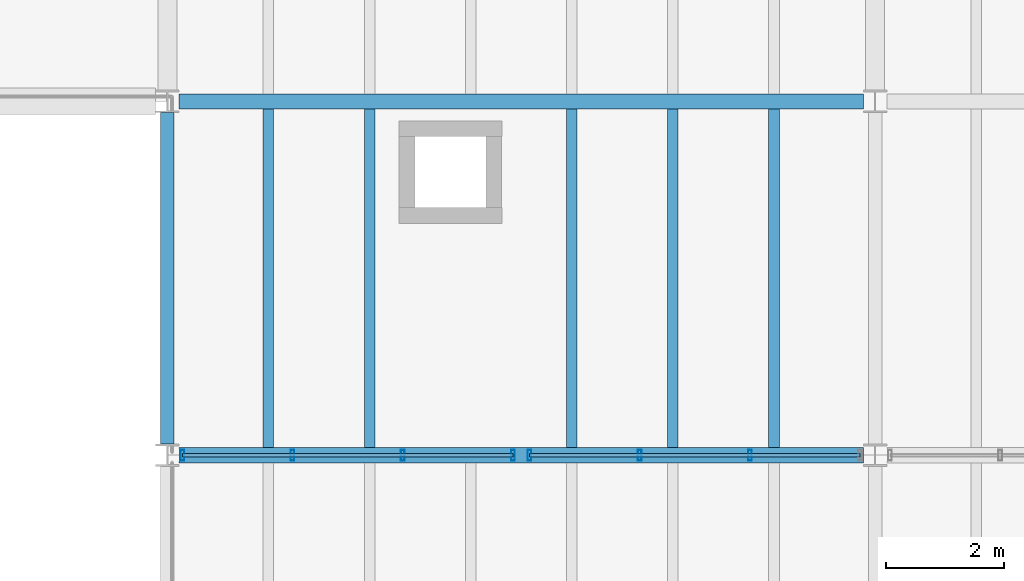
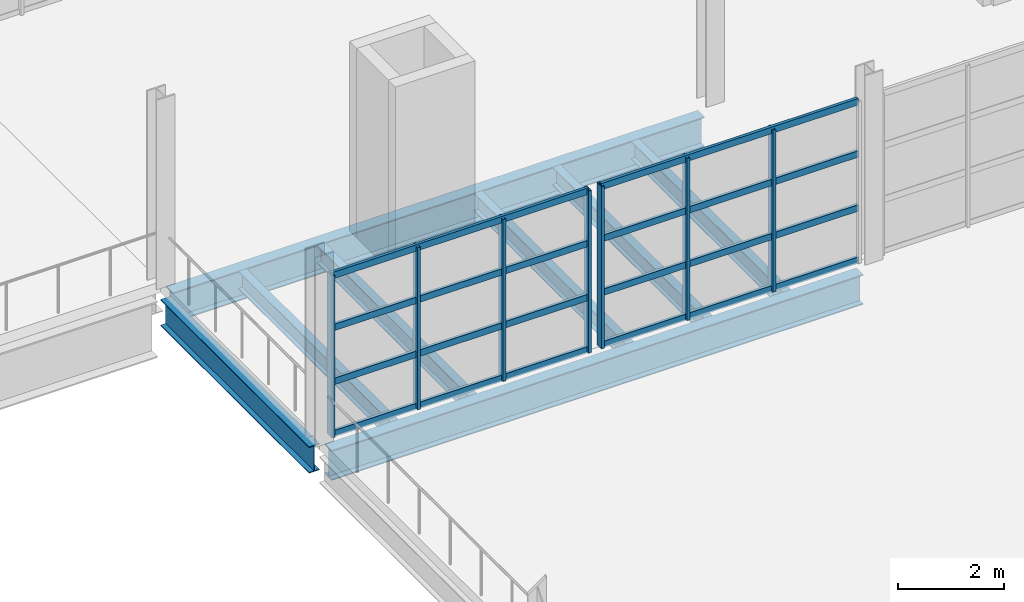
# One storey, part 20 of 78: 15 members, 8 beams, 2 elements without a shape of their own.
"""IFC4 building model written with IfcOpenShell, lengths in metres."""

import ifcopenshell
import ifcopenshell.guid

model = None  # the IFC model being written
_history = None  # IfcOwnerHistory: only IFC2X3 demands one
_inside = {}  # id of a spatial element -> (the spatial element, [elements in it])
_under = {}  # id of a project, library or spatial element -> (it, [spatial elements below it])
_declared = {}  # id of a project -> (the project, [libraries it declares])
_typed = {}  # id of a type object -> (the type object, [elements of that type])
_made_of = {}  # id of a material, layer set ... -> (it, [elements and type objects made of it])


def new_model(schema):
    """Start an empty IFC model of exactly this schema.

    Asked for "IFC4X3", IfcOpenShell would pick the latest addendum, in which some entities
    have other attributes; the version numbers below select the first issue.
    IFC2X3 requires an IfcOwnerHistory on every rooted entity: one is made here for all.
    """
    global model, _history
    if schema == "IFC4X3":
        model = ifcopenshell.file(schema_version=(4, 3, 0, 0))
    else:
        model = ifcopenshell.file(schema=schema)
    _inside.clear()
    _under.clear()
    _declared.clear()
    _typed.clear()
    _made_of.clear()
    _history = None
    if model.schema == "IFC2X3":
        org = make("IfcOrganization", Name="unknown")
        user = make(
            "IfcPersonAndOrganization",
            ThePerson=make("IfcPerson", FamilyName="unknown"),
            TheOrganization=org,
        )
        app = make(
            "IfcApplication",
            ApplicationDeveloper=org,
            Version="unknown",
            ApplicationFullName="unknown",
            ApplicationIdentifier="unknown",
        )
        _history = make(
            "IfcOwnerHistory",
            OwningUser=user,
            OwningApplication=app,
            ChangeAction="ADDED",
            CreationDate=0,
        )
    return model


def make(cls, **values):
    """One entity of the class cls with the attributes given. An attribute that is None is left unset."""
    return model.create_entity(
        cls, **{name: value for name, value in values.items() if value is not None}
    )


def rooted(cls, **values):
    """An entity with a GlobalId (a new one), such as an element, a storey or a relation."""
    return make(cls, GlobalId=ifcopenshell.guid.new(), OwnerHistory=_history, **values)


def si_unit(unit_type, name, prefix=None):
    """IfcSIUnit, for example si_unit("LENGTHUNIT", "METRE", prefix="MILLI")."""
    return make("IfcSIUnit", UnitType=unit_type, Prefix=prefix, Name=name)


def assignment(units):
    """IfcUnitAssignment: the units of a project."""
    return None if units is None else make("IfcUnitAssignment", Units=units)


def point(xyz):
    """IfcCartesianPoint."""
    return None if xyz is None else make("IfcCartesianPoint", Coordinates=xyz)


def direction(xyz):
    """IfcDirection."""
    return None if xyz is None else make("IfcDirection", DirectionRatios=xyz)


def frame(location, z_axis=None, x_axis=None):
    """IfcAxis2Placement3D, a coordinate frame: its origin and axes. An axis left out is left unset."""
    return make(
        "IfcAxis2Placement3D",
        Location=point(location),
        Axis=direction(z_axis),
        RefDirection=direction(x_axis),
    )


def frame_2d(location, x_axis=None):
    """IfcAxis2Placement2D, a coordinate frame in the plane: its origin and x axis."""
    return make(
        "IfcAxis2Placement2D", Location=point(location), RefDirection=direction(x_axis)
    )


def origin():
    """The frame at (0, 0, 0) with its axes left unset."""
    return frame((0.0, 0.0, 0.0))


def origin_2d():
    """The frame at (0, 0) in the plane with its x axis left unset."""
    return frame_2d((0.0, 0.0))


def place(relative_to, where):
    """IfcLocalPlacement: puts the frame where relative to a parent placement (None: the world)."""
    return make(
        "IfcLocalPlacement", PlacementRelTo=relative_to, RelativePlacement=where
    )


def context(
    kind, dimensions, precision=None, world=None, true_north=None, identifier=None
):
    """IfcGeometricRepresentationContext, for example the 3D "Model" context."""
    return make(
        "IfcGeometricRepresentationContext",
        ContextIdentifier=identifier,
        ContextType=kind,
        CoordinateSpaceDimension=dimensions,
        Precision=precision,
        WorldCoordinateSystem=world,
        TrueNorth=true_north,
    )


def subcontext(parent, identifier, kind, view, scale=None):
    """IfcGeometricRepresentationSubContext, for example "Body" below "Model"."""
    return make(
        "IfcGeometricRepresentationSubContext",
        ContextIdentifier=identifier,
        ContextType=kind,
        ParentContext=parent,
        TargetScale=scale,
        TargetView=view,
    )


def project(units=None, contexts=None):
    """IfcProject with its units and contexts."""
    return rooted(
        "IfcProject",
        Name="project",
        RepresentationContexts=contexts,
        UnitsInContext=assignment(units),
    )


def spatial(cls, under=None, at=None, **own):
    """A site, building, storey or space (cls), placed at a placement, below another one or the project."""
    s = rooted(cls, ObjectPlacement=at, **own)
    if under is not None:
        _under.setdefault(under.id(), (under, []))[1].append(s)
    return s


def profile(cls, at=None, kind="AREA", **sizes):
    """A parametric profile (cls). Its sizes go by their IFC names, for example OverallWidth=200.0."""
    return make(cls, ProfileType=kind, Position=at, **sizes)


def hollow_rectangle(**sizes):
    """IfcRectangleHollowProfileDef."""
    return profile("IfcRectangleHollowProfileDef", **sizes)


def i_section(**sizes):
    """IfcIShapeProfileDef."""
    return profile("IfcIShapeProfileDef", **sizes)


def extrude(swept, where, along, depth):
    """IfcExtrudedAreaSolid: the profile swept, set in the frame where, extruded along a direction by depth."""
    return make(
        "IfcExtrudedAreaSolid",
        SweptArea=swept,
        Position=where,
        ExtrudedDirection=direction(along),
        Depth=depth,
    )


def shape(context_of_items, identifier, shape_type, items):
    """IfcShapeRepresentation: the items that make up one representation, for example the "Body"."""
    return make(
        "IfcShapeRepresentation",
        ContextOfItems=context_of_items,
        RepresentationIdentifier=identifier,
        RepresentationType=shape_type,
        Items=items,
    )


def material(Name=None, Category=None):
    """IfcMaterial."""
    return make("IfcMaterial", Name=Name, Category=Category)


def material_profile(
    of_material, cross_section, Name=None, Category=None, Priority=None
):
    """IfcMaterialProfile: a cross section and its material."""
    return make(
        "IfcMaterialProfile",
        Name=Name,
        Material=of_material,
        Profile=cross_section,
        Priority=Priority,
        Category=Category,
    )


def profile_set(profiles, Name=None, composite=None):
    """IfcMaterialProfileSet."""
    return make(
        "IfcMaterialProfileSet",
        Name=Name,
        MaterialProfiles=profiles,
        CompositeProfile=composite,
    )


def made_of(thing, what):
    """Note that an element or type object is made of a material, layer set ...; save() writes the relation."""
    if what is not None:
        _made_of.setdefault(what.id(), (what, []))[1].append(thing)
    return thing


def type_object(cls, material=None, **own):
    """A type object (cls), such as IfcWallType, which elements share."""
    return made_of(rooted(cls, **own), material)


def element(
    cls,
    number,
    at=None,
    inside=None,
    cuts=None,
    type_object=None,
    material=None,
    context=None,
    identifier="Body",
    shape_type=None,
    held_by="IfcProductDefinitionShape",
    body=None,
    shapes=None,
    **own,
):
    """One element of the class cls, such as IfcWall. Its Tag is "e" and its number.

    at: its placement. inside: the storey or other place that contains it. cuts: it is an
    opening in that element (IfcRelVoidsElement). A single representation is given by context,
    identifier, shape_type and body (its items); several are given by shapes. held_by: the class
    of the entity that holds the representations. save() writes the other relations.
    """
    e = rooted(cls, Tag="e%d" % number, ObjectPlacement=at, **own)
    if body is not None:
        shapes = [shape(context, identifier, shape_type, body)]
    if shapes is not None:
        e.Representation = make(held_by, Representations=shapes)
    if inside is not None:
        _inside.setdefault(inside.id(), (inside, []))[1].append(e)
    if cuts is not None:
        rooted(
            "IfcRelVoidsElement", RelatingBuildingElement=cuts, RelatedOpeningElement=e
        )
    if type_object is not None:
        _typed.setdefault(type_object.id(), (type_object, []))[1].append(e)
    return made_of(e, material)


def aggregate(whole, parts):
    """IfcRelAggregates: a whole, such as a stair, and the parts it consists of."""
    return rooted("IfcRelAggregates", RelatingObject=whole, RelatedObjects=parts)


def save(model, path):
    """Write the relations noted so far, then the file.

    IfcRelAggregates (storeys below a building ...), IfcRelContainedInSpatialStructure (elements
    in a storey), IfcRelDefinesByType, IfcRelAssociatesMaterial and IfcRelDeclares: one each for
    every whole, place, type object, material and project.
    """
    for whole, parts in _under.values():
        aggregate(whole, parts)
    for where, things in _inside.values():
        rooted(
            "IfcRelContainedInSpatialStructure",
            RelatedElements=things,
            RelatingStructure=where,
        )
    for kind, things in _typed.values():
        rooted("IfcRelDefinesByType", RelatedObjects=things, RelatingType=kind)
    for what, things in _made_of.values():
        rooted("IfcRelAssociatesMaterial", RelatedObjects=things, RelatingMaterial=what)
    for by, libraries in _declared.values():
        rooted("IfcRelDeclares", RelatingContext=by, RelatedDefinitions=libraries)
    model.write(path)


model = new_model("IFC4")

# Units and contexts
model_context = context("Model", 3, precision=1e-05, world=origin(), true_north=direction((0.0, 1.0)))
body_context = subcontext(model_context, "Body", "Model", "MODEL_VIEW")
ifc_project = project(units=[si_unit("LENGTHUNIT", "METRE"), si_unit("AREAUNIT", "SQUARE_METRE"), si_unit("VOLUMEUNIT", "CUBIC_METRE"), si_unit("PLANEANGLEUNIT", "RADIAN"), si_unit("MASSUNIT", "GRAM", prefix="KILO")], contexts=[model_context])

# Site, building, storey
site_placement = place(None, origin())
site = spatial("IfcSite", under=ifc_project, at=site_placement, CompositionType="ELEMENT")
building_placement = place(site_placement, origin())
building = spatial("IfcBuilding", under=site, at=building_placement, Name="Kelmvaro Bay Concert Hall", CompositionType="ELEMENT")
storey_placement = place(building_placement, frame((0.0, 0.0, 9.300048828125)))
storey = spatial("IfcBuildingStorey", under=building, at=storey_placement, Name="L02", CompositionType="ELEMENT", Elevation=9.300048828125)

# Curtain wall, members
ifc_material_1 = material(Name="Anodised Aluminium and Low-E Insulated Glazing", Category="aluminium")
curtain_wall_type = type_object("IfcCurtainWallType", Name="Upper Salon Waterfront Curtain Wall 4050", PredefinedType="USERDEFINED", material=ifc_material_1)
curtain_wall_1_placement = place(storey_placement, origin())
curtain_wall_1 = element("IfcCurtainWall", 1, at=curtain_wall_1_placement, inside=storey, type_object=curtain_wall_type, Name="Unitised Curtain Wall CW-L02-082", ObjectType="UNITISED GLAZING", PredefinedType="USERDEFINED")
ifc_material_2 = material(Name="Anodised Extruded Aluminium 6063-T6", Category="aluminium")
ifc_material_profile_1 = material_profile(ifc_material_2, hollow_rectangle(XDim=0.06494140625, YDim=0.179931640625, WallThickness=0.00390625, at=origin_2d()), Name="ALU-MUL-180X65")
ifc_profile_set_1 = profile_set([ifc_material_profile_1], Name="Anodised Extruded Aluminium 6063-T6")
member_type_1 = type_object("IfcMemberType", Name="Curtain Mullion ALU 180x65", PredefinedType="MULLION", material=ifc_profile_set_1)
member_1_placement = place(storey_placement, frame((89.860107421875, 24.0, 0.0), z_axis=(0.0, 0.0, 1.0), x_axis=(1.0, 0.0, 0.0)))
member_1 = element("IfcMember", 2, at=member_1_placement, type_object=member_type_1, Name="CW-L02-082 Mullion 01", PredefinedType="MULLION", context=body_context, shape_type="SweptSolid", body=[
    extrude(hollow_rectangle(XDim=0.06494140625, YDim=0.179931640625, WallThickness=0.00390625, at=origin_2d()), origin(), (0.0, 0.0, 1.0), 3.739013671875),
])
member_2_placement = place(storey_placement, frame((87.991455078125, 24.0, 0.0), z_axis=(0.0, 0.0, 1.0), x_axis=(1.0, 0.0, 0.0)))
member_2 = element("IfcMember", 3, at=member_2_placement, type_object=member_type_1, Name="CW-L02-082 Mullion 02", PredefinedType="MULLION", context=body_context, shape_type="SweptSolid", body=[
    extrude(hollow_rectangle(XDim=0.06494140625, YDim=0.179931640625, WallThickness=0.00390625, at=origin_2d()), origin(), (0.0, 0.0, 1.0), 3.739013671875),
])
member_3_placement = place(storey_placement, frame((86.123046875, 24.0, 0.0), z_axis=(0.0, 0.0, 1.0), x_axis=(1.0, 0.0, 0.0)))
member_3 = element("IfcMember", 4, at=member_3_placement, type_object=member_type_1, Name="CW-L02-082 Mullion 03", PredefinedType="MULLION", context=body_context, shape_type="SweptSolid", body=[
    extrude(hollow_rectangle(XDim=0.06494140625, YDim=0.179931640625, WallThickness=0.00390625, at=origin_2d()), origin(), (0.0, 0.0, 1.0), 3.739013671875),
])
member_4_placement = place(storey_placement, frame((84.25439453125, 24.0, 0.0), z_axis=(0.0, 0.0, 1.0), x_axis=(1.0, 0.0, 0.0)))
member_4 = element("IfcMember", 5, at=member_4_placement, type_object=member_type_1, Name="CW-L02-082 Mullion 04", PredefinedType="MULLION", context=body_context, shape_type="SweptSolid", body=[
    extrude(hollow_rectangle(XDim=0.06494140625, YDim=0.179931640625, WallThickness=0.00390625, at=origin_2d()), origin(), (0.0, 0.0, 1.0), 3.739013671875),
])

curtain_wall_2_placement = place(storey_placement, origin())
curtain_wall_2 = element("IfcCurtainWall", 6, at=curtain_wall_2_placement, inside=storey, type_object=curtain_wall_type, Name="Unitised Curtain Wall CW-L02-083", ObjectType="UNITISED GLAZING", PredefinedType="USERDEFINED")
member_5_placement = place(storey_placement, frame((93.8779296875, 24.0, 0.0), z_axis=(0.0, 0.0, 1.0), x_axis=(1.0, 0.0, 0.0)))
member_5 = element("IfcMember", 7, at=member_5_placement, type_object=member_type_1, Name="CW-L02-083 Mullion 02", PredefinedType="MULLION", context=body_context, shape_type="SweptSolid", body=[
    extrude(hollow_rectangle(XDim=0.06494140625, YDim=0.179931640625, WallThickness=0.00390625, at=origin_2d()), origin(), (0.0, 0.0, 1.0), 3.739013671875),
])
member_6_placement = place(storey_placement, frame((92.009033203125, 24.0, 0.0), z_axis=(0.0, 0.0, 1.0), x_axis=(1.0, 0.0, 0.0)))
member_6 = element("IfcMember", 8, at=member_6_placement, type_object=member_type_1, Name="CW-L02-083 Mullion 03", PredefinedType="MULLION", context=body_context, shape_type="SweptSolid", body=[
    extrude(hollow_rectangle(XDim=0.06494140625, YDim=0.179931640625, WallThickness=0.00390625, at=origin_2d()), origin(), (0.0, 0.0, 1.0), 3.739013671875),
])
member_7_placement = place(storey_placement, frame((90.139892578125, 24.0, 0.0), z_axis=(0.0, 0.0, 1.0), x_axis=(1.0, 0.0, 0.0)))
member_7 = element("IfcMember", 9, at=member_7_placement, type_object=member_type_1, Name="CW-L02-083 Mullion 04", PredefinedType="MULLION", context=body_context, shape_type="SweptSolid", body=[
    extrude(hollow_rectangle(XDim=0.06494140625, YDim=0.179931640625, WallThickness=0.00390625, at=origin_2d()), origin(), (0.0, 0.0, 1.0), 3.739013671875),
])

# Member
ifc_material_3 = material(Name="Anodised Extruded Aluminium 6063-T6", Category="aluminium")
ifc_material_profile_2 = material_profile(ifc_material_3, hollow_rectangle(XDim=0.06494140625, YDim=0.14990234375, WallThickness=0.00390625, at=origin_2d()), Name="ALU-TRN-150X65")
ifc_profile_set_2 = profile_set([ifc_material_profile_2], Name="Anodised Extruded Aluminium 6063-T6")
member_type_2 = type_object("IfcMemberType", Name="Curtain Transom ALU 150x65", PredefinedType="USERDEFINED", material=ifc_profile_set_2)
member_8_placement = place(storey_placement, frame((89.860107421875, 24.0, 0.0400390625), z_axis=(-1.0, 0.0, 0.0), x_axis=(0.0, -1.0, 0.0)))
member_8 = element("IfcMember", 10, at=member_8_placement, type_object=member_type_2, Name="CW-L02-082 Transom 01", ObjectType="TRANSOM", PredefinedType="USERDEFINED", context=body_context, shape_type="SweptSolid", body=[
    extrude(hollow_rectangle(XDim=0.06494140625, YDim=0.14990234375, WallThickness=0.00390625, at=origin_2d()), origin(), (0.0, 0.0, 1.0), 5.605712890625),
])

member_9_placement = place(storey_placement, frame((89.860107421875, 24.0, 1.246337890625), z_axis=(-1.0, 0.0, 0.0), x_axis=(0.0, -1.0, 0.0)))
member_9 = element("IfcMember", 11, at=member_9_placement, type_object=member_type_2, Name="CW-L02-082 Transom 02", ObjectType="TRANSOM", PredefinedType="USERDEFINED", context=body_context, shape_type="SweptSolid", body=[
    extrude(hollow_rectangle(XDim=0.06494140625, YDim=0.14990234375, WallThickness=0.00390625, at=origin_2d()), origin(), (0.0, 0.0, 1.0), 5.605712890625),
])

member_10_placement = place(storey_placement, frame((89.860107421875, 24.0, 2.49267578125), z_axis=(-1.0, 0.0, 0.0), x_axis=(0.0, -1.0, 0.0)))
member_10 = element("IfcMember", 12, at=member_10_placement, type_object=member_type_2, Name="CW-L02-082 Transom 03", ObjectType="TRANSOM", PredefinedType="USERDEFINED", context=body_context, shape_type="SweptSolid", body=[
    extrude(hollow_rectangle(XDim=0.06494140625, YDim=0.14990234375, WallThickness=0.00390625, at=origin_2d()), origin(), (0.0, 0.0, 1.0), 5.605712890625),
])

member_11_placement = place(storey_placement, frame((89.860107421875, 24.0, 3.698974609375), z_axis=(-1.0, 0.0, 0.0), x_axis=(0.0, -1.0, 0.0)))
member_11 = element("IfcMember", 13, at=member_11_placement, type_object=member_type_2, Name="CW-L02-082 Transom 04", ObjectType="TRANSOM", PredefinedType="USERDEFINED", context=body_context, shape_type="SweptSolid", body=[
    extrude(hollow_rectangle(XDim=0.06494140625, YDim=0.14990234375, WallThickness=0.00390625, at=origin_2d()), origin(), (0.0, 0.0, 1.0), 5.605712890625),
])

aggregate(curtain_wall_1, [member_1, member_2, member_3, member_4, member_8, member_9, member_10, member_11])

member_12_placement = place(storey_placement, frame((95.7470703125, 24.0, 0.0400390625), z_axis=(-1.0, 0.0, 0.0), x_axis=(0.0, -1.0, 0.0)))
member_12 = element("IfcMember", 14, at=member_12_placement, type_object=member_type_2, Name="CW-L02-083 Transom 01", ObjectType="TRANSOM", PredefinedType="USERDEFINED", context=body_context, shape_type="SweptSolid", body=[
    extrude(hollow_rectangle(XDim=0.06494140625, YDim=0.14990234375, WallThickness=0.00390625, at=origin_2d()), origin(), (0.0, 0.0, 1.0), 5.607177734375),
])

member_13_placement = place(storey_placement, frame((95.7470703125, 24.0, 1.246337890625), z_axis=(-1.0, 0.0, 0.0), x_axis=(0.0, -1.0, 0.0)))
member_13 = element("IfcMember", 15, at=member_13_placement, type_object=member_type_2, Name="CW-L02-083 Transom 02", ObjectType="TRANSOM", PredefinedType="USERDEFINED", context=body_context, shape_type="SweptSolid", body=[
    extrude(hollow_rectangle(XDim=0.06494140625, YDim=0.14990234375, WallThickness=0.00390625, at=origin_2d()), origin(), (0.0, 0.0, 1.0), 5.607177734375),
])

member_14_placement = place(storey_placement, frame((95.7470703125, 24.0, 2.49267578125), z_axis=(-1.0, 0.0, 0.0), x_axis=(0.0, -1.0, 0.0)))
member_14 = element("IfcMember", 16, at=member_14_placement, type_object=member_type_2, Name="CW-L02-083 Transom 03", ObjectType="TRANSOM", PredefinedType="USERDEFINED", context=body_context, shape_type="SweptSolid", body=[
    extrude(hollow_rectangle(XDim=0.06494140625, YDim=0.14990234375, WallThickness=0.00390625, at=origin_2d()), origin(), (0.0, 0.0, 1.0), 5.607177734375),
])

member_15_placement = place(storey_placement, frame((95.7470703125, 24.0, 3.698974609375), z_axis=(-1.0, 0.0, 0.0), x_axis=(0.0, -1.0, 0.0)))
member_15 = element("IfcMember", 17, at=member_15_placement, type_object=member_type_2, Name="CW-L02-083 Transom 04", ObjectType="TRANSOM", PredefinedType="USERDEFINED", context=body_context, shape_type="SweptSolid", body=[
    extrude(hollow_rectangle(XDim=0.06494140625, YDim=0.14990234375, WallThickness=0.00390625, at=origin_2d()), origin(), (0.0, 0.0, 1.0), 5.607177734375),
])

aggregate(curtain_wall_2, [member_5, member_6, member_7, member_12, member_13, member_14, member_15])

# Beams
ifc_material_4 = material(Name="Steel ASTM A992 Grade 50", Category="steel")
ifc_material_profile_3 = material_profile(ifc_material_4, i_section(OverallWidth=0.256103515625, OverallDepth=0.693115234375, WebThickness=0.014404296875, FlangeThickness=0.023681640625, at=origin_2d()), Name="W27X114")
ifc_profile_set_3 = profile_set([ifc_material_profile_3], Name="Steel ASTM A992 Grade 50")
beam_type_1 = type_object("IfcBeamType", Name="Foyer Primary Girder W27x114", PredefinedType="BEAM", material=ifc_profile_set_3)
for number, where, z_axis, x_axis, name in (
    (18, (84.199462890625, 24.0, -0.596435546875), (1.0, 0.0, 0.0), (0.0, 1.0, 0.0), "L02 Girder BM-L02-EW-0704"),
    (19, (84.199462890625, 30.0, -0.596435546875), (1.0, 0.0, 0.0), (0.0, 1.0, 0.0), "L02 Girder BM-L02-EW-0714"),
):
    element("IfcBeam", number, at=place(storey_placement, frame(where, z_axis=z_axis, x_axis=x_axis)), inside=storey, type_object=beam_type_1, Name=name, PredefinedType="BEAM", context=body_context, shape_type="SweptSolid", body=[
        extrude(i_section(OverallWidth=0.256103515625, OverallDepth=0.693115234375, WebThickness=0.014404296875, FlangeThickness=0.023681640625, at=origin_2d()), origin(), (0.0, 0.0, 1.0), 11.6025390625),
    ])
ifc_material_5 = material(Name="Steel ASTM A992 Grade 50", Category="steel")
ifc_material_profile_4 = material_profile(ifc_material_5, i_section(OverallWidth=0.179931640625, OverallDepth=0.4140625, WebThickness=0.009765625, FlangeThickness=0.01611328125, at=origin_2d()), Name="W16X50")
ifc_profile_set_4 = profile_set([ifc_material_profile_4], Name="Steel ASTM A992 Grade 50")
beam_type_2 = type_object("IfcBeamType", Name="Terrace Composite Joist W16x50", PredefinedType="JOIST", material=ifc_profile_set_4)
for number, where, z_axis, x_axis, name in (
    (20, (85.71435546875, 24.1279296875, -0.45703125), (0.0, 1.0, 0.0), (-1.0, 0.0, 0.0), "L02 Floor Joist JST-L02-0987"),
    (21, (87.4287109375, 24.1279296875, -0.45703125), (0.0, 1.0, 0.0), (-1.0, 0.0, 0.0), "L02 Floor Joist JST-L02-0988"),
    (22, (90.857177734375, 24.1279296875, -0.45703125), (0.0, 1.0, 0.0), (-1.0, 0.0, 0.0), "L02 Floor Joist JST-L02-0989"),
    (23, (92.5712890625, 24.1279296875, -0.45703125), (0.0, 1.0, 0.0), (-1.0, 0.0, 0.0), "L02 Floor Joist JST-L02-0990"),
    (24, (94.28564453125, 24.1279296875, -0.45703125), (0.0, 1.0, 0.0), (-1.0, 0.0, 0.0), "L02 Floor Joist JST-L02-0991"),
):
    element("IfcBeam", number, at=place(storey_placement, frame(where, z_axis=z_axis, x_axis=x_axis)), inside=storey, type_object=beam_type_2, Name=name, PredefinedType="JOIST", context=body_context, shape_type="SweptSolid", body=[
        extrude(i_section(OverallWidth=0.179931640625, OverallDepth=0.4140625, WebThickness=0.009765625, FlangeThickness=0.01611328125, at=origin_2d()), origin(), (0.0, 0.0, 1.0), 5.744140625),
    ])
ifc_material_6 = material(Name="Steel ASTM A992 Grade 50", Category="steel")
ifc_material_profile_5 = material_profile(ifc_material_6, i_section(OverallWidth=0.22900390625, OverallDepth=0.612060546875, WebThickness=0.011962890625, FlangeThickness=0.01953125, at=origin_2d()), Name="W24X84")
ifc_profile_set_5 = profile_set([ifc_material_profile_5], Name="Steel ASTM A992 Grade 50")
beam_type_3 = type_object("IfcBeamType", Name="Terrace Edge Girder W24x84", PredefinedType="BEAM", material=ifc_profile_set_5)
beam_placement = place(storey_placement, frame((84.0, 24.193115234375, -0.55615234375), z_axis=(0.0, 1.0, 0.0), x_axis=(-1.0, 0.0, 0.0)))
element("IfcBeam", 25, at=beam_placement, inside=storey, type_object=beam_type_3, Name="L02 Girder BM-L02-NS-0843", PredefinedType="BEAM", context=body_context, shape_type="SweptSolid", body=[
    extrude(i_section(OverallWidth=0.22900390625, OverallDepth=0.612060546875, WebThickness=0.011962890625, FlangeThickness=0.01953125, at=origin_2d()), origin(), (0.0, 0.0, 1.0), 5.61376953125),
])

save(model, "model.ifc")
